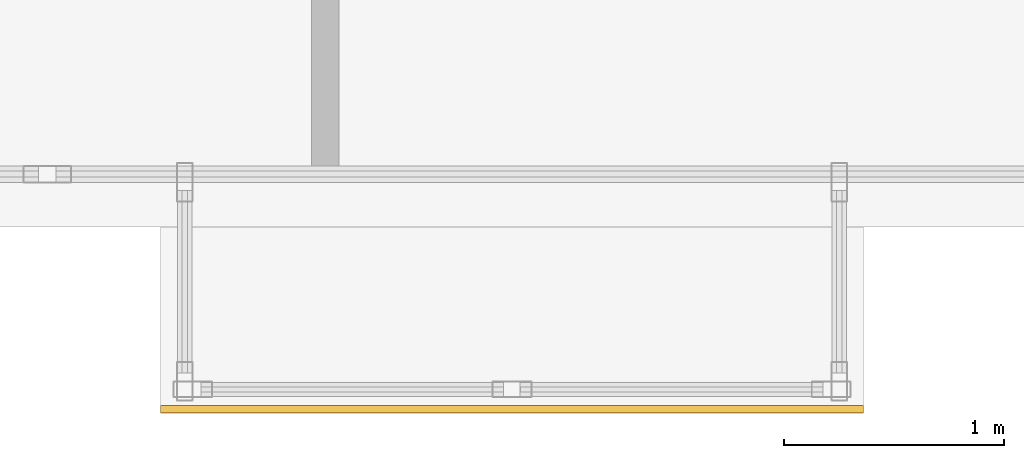
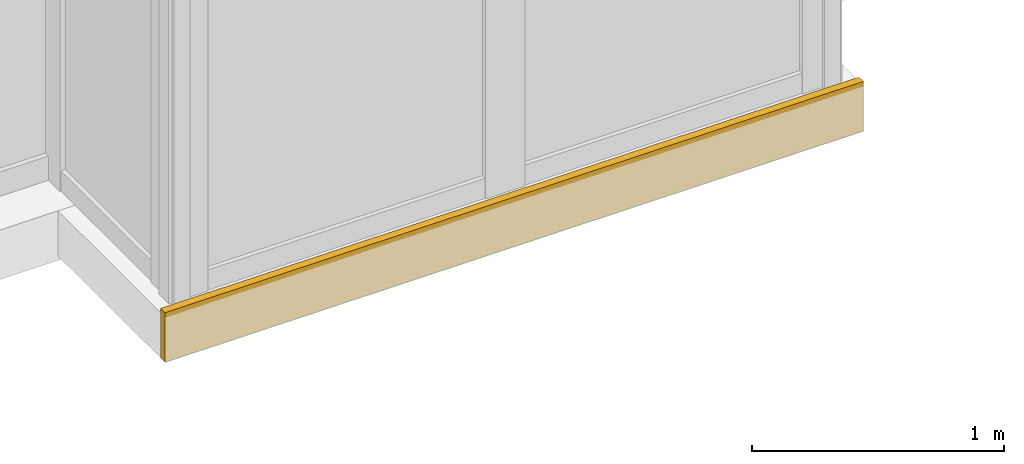
# One storey, part 22 of 23: 1 covering.
"""IFC4 building model written with IfcOpenShell, lengths in metres."""

from ifc_helpers import new_model, si_unit, direction, frame, origin, origin_2d, place, context, subcontext, project, spatial, rectangle, extrude, material, layer, layer_set, type_object, element, save


model = new_model("IFC4")

# Units and contexts
model_context = context("Model", 3, precision=1e-05, world=origin(), true_north=direction((0.0, 1.0)))
body_context = subcontext(model_context, "Body", "Model", "MODEL_VIEW")
ifc_project = project(units=[si_unit("LENGTHUNIT", "METRE"), si_unit("AREAUNIT", "SQUARE_METRE"), si_unit("VOLUMEUNIT", "CUBIC_METRE"), si_unit("PLANEANGLEUNIT", "RADIAN"), si_unit("MASSUNIT", "GRAM", prefix="KILO")], contexts=[model_context])

# Site, building, storey
site_placement = place(None, origin())
site = spatial("IfcSite", under=ifc_project, at=site_placement, CompositionType="ELEMENT")
building_placement = place(site_placement, origin())
building = spatial("IfcBuilding", under=site, at=building_placement, Name="Kolvaren Waterfront Exchange", CompositionType="ELEMENT")
storey_placement = place(building_placement, frame((0.0, 0.0, 270.39990234375)))
storey = spatial("IfcBuildingStorey", under=building, at=storey_placement, Name="L69", CompositionType="ELEMENT", Elevation=270.39990234375)

# Covering
ifc_material = material(Name="Anodised bronze fascia aluminium", Category="aluminium")
ifc_layer = layer(ifc_material, 0.034912109375, Name="Anodised bronze fascia aluminium")
ifc_layer_set = layer_set([ifc_layer], Name="Anodised bronze fascia aluminium")
covering_type = type_object("IfcCoveringType", Name="ARC-CLAD-BRONZE-35", PredefinedType="CLADDING", material=ifc_layer_set)
covering_placement = place(storey_placement, frame((36.300048828125, 2.77001953125, -0.2197265625), z_axis=(0.0, 0.0, 1.0), x_axis=(1.0, 0.0, 0.0)))
element("IfcCovering", 1, at=covering_placement, inside=storey, type_object=covering_type, Name="L69 ribbed anodised bronze bay-box fascia", PredefinedType="CLADDING", context=body_context, shape_type="SweptSolid", body=[
    extrude(rectangle(XDim=3.199951171875, YDim=0.034912109375, at=origin_2d()), origin(), (0.0, 0.0, 1.0), 0.239990234375),
])

save(model, "model.ifc")
